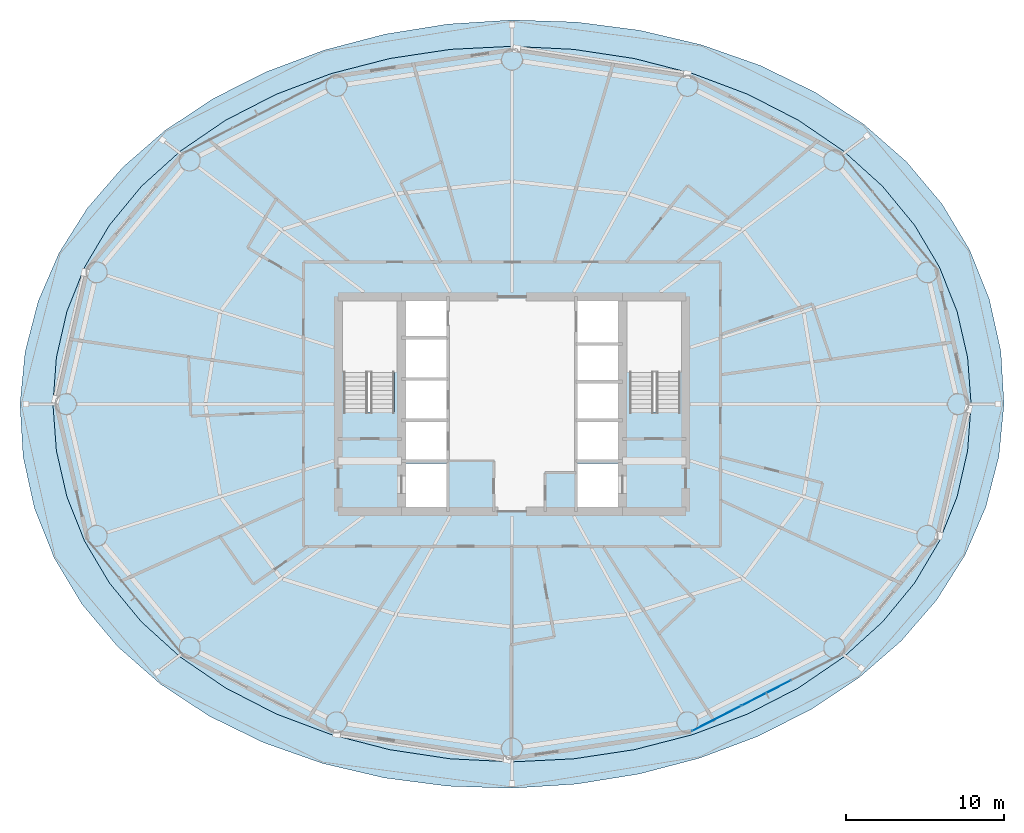
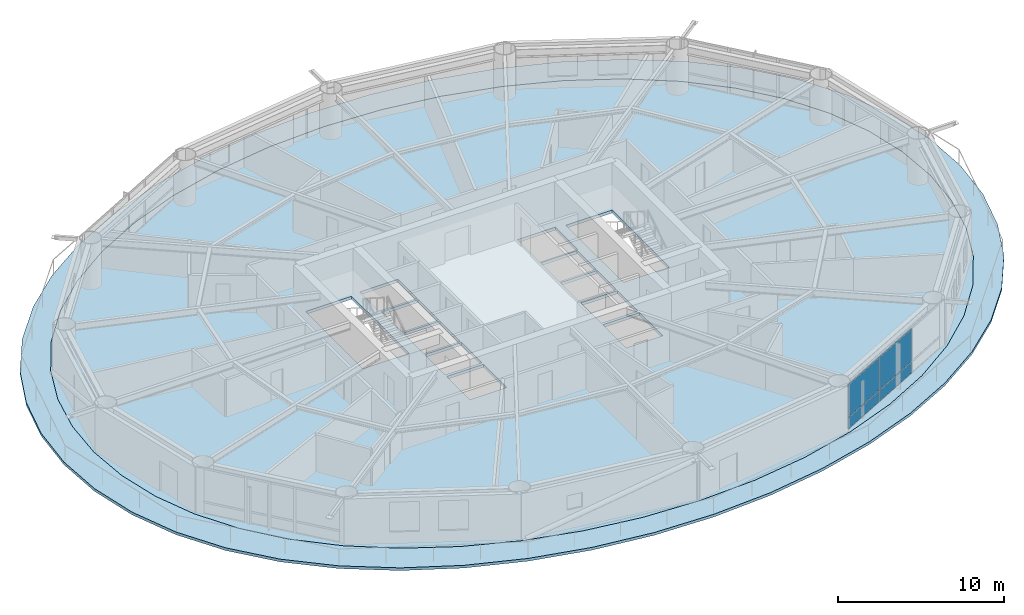
# One storey, part 15 of 24: 4 plates, 2 slabs, 1 element without a shape of its own.
"""IFC4 building model written with IfcOpenShell, lengths in metres."""

import ifcopenshell
import ifcopenshell.guid

model = None  # the IFC model being written
_history = None  # IfcOwnerHistory: only IFC2X3 demands one
_inside = {}  # id of a spatial element -> (the spatial element, [elements in it])
_under = {}  # id of a project, library or spatial element -> (it, [spatial elements below it])
_declared = {}  # id of a project -> (the project, [libraries it declares])
_typed = {}  # id of a type object -> (the type object, [elements of that type])
_made_of = {}  # id of a material, layer set ... -> (it, [elements and type objects made of it])


def new_model(schema):
    """Start an empty IFC model of exactly this schema.

    Asked for "IFC4X3", IfcOpenShell would pick the latest addendum, in which some entities
    have other attributes; the version numbers below select the first issue.
    IFC2X3 requires an IfcOwnerHistory on every rooted entity: one is made here for all.
    """
    global model, _history
    if schema == "IFC4X3":
        model = ifcopenshell.file(schema_version=(4, 3, 0, 0))
    else:
        model = ifcopenshell.file(schema=schema)
    _inside.clear()
    _under.clear()
    _declared.clear()
    _typed.clear()
    _made_of.clear()
    _history = None
    if model.schema == "IFC2X3":
        org = make("IfcOrganization", Name="unknown")
        user = make(
            "IfcPersonAndOrganization",
            ThePerson=make("IfcPerson", FamilyName="unknown"),
            TheOrganization=org,
        )
        app = make(
            "IfcApplication",
            ApplicationDeveloper=org,
            Version="unknown",
            ApplicationFullName="unknown",
            ApplicationIdentifier="unknown",
        )
        _history = make(
            "IfcOwnerHistory",
            OwningUser=user,
            OwningApplication=app,
            ChangeAction="ADDED",
            CreationDate=0,
        )
    return model


def make(cls, **values):
    """One entity of the class cls with the attributes given. An attribute that is None is left unset."""
    return model.create_entity(
        cls, **{name: value for name, value in values.items() if value is not None}
    )


def rooted(cls, **values):
    """An entity with a GlobalId (a new one), such as an element, a storey or a relation."""
    return make(cls, GlobalId=ifcopenshell.guid.new(), OwnerHistory=_history, **values)


def si_unit(unit_type, name, prefix=None):
    """IfcSIUnit, for example si_unit("LENGTHUNIT", "METRE", prefix="MILLI")."""
    return make("IfcSIUnit", UnitType=unit_type, Prefix=prefix, Name=name)


def assignment(units):
    """IfcUnitAssignment: the units of a project."""
    return None if units is None else make("IfcUnitAssignment", Units=units)


def point(xyz):
    """IfcCartesianPoint."""
    return None if xyz is None else make("IfcCartesianPoint", Coordinates=xyz)


def direction(xyz):
    """IfcDirection."""
    return None if xyz is None else make("IfcDirection", DirectionRatios=xyz)


def frame(location, z_axis=None, x_axis=None):
    """IfcAxis2Placement3D, a coordinate frame: its origin and axes. An axis left out is left unset."""
    return make(
        "IfcAxis2Placement3D",
        Location=point(location),
        Axis=direction(z_axis),
        RefDirection=direction(x_axis),
    )


def frame_2d(location, x_axis=None):
    """IfcAxis2Placement2D, a coordinate frame in the plane: its origin and x axis."""
    return make(
        "IfcAxis2Placement2D", Location=point(location), RefDirection=direction(x_axis)
    )


def origin():
    """The frame at (0, 0, 0) with its axes left unset."""
    return frame((0.0, 0.0, 0.0))


def origin_2d():
    """The frame at (0, 0) in the plane with its x axis left unset."""
    return frame_2d((0.0, 0.0))


def place(relative_to, where):
    """IfcLocalPlacement: puts the frame where relative to a parent placement (None: the world)."""
    return make(
        "IfcLocalPlacement", PlacementRelTo=relative_to, RelativePlacement=where
    )


def context(
    kind, dimensions, precision=None, world=None, true_north=None, identifier=None
):
    """IfcGeometricRepresentationContext, for example the 3D "Model" context."""
    return make(
        "IfcGeometricRepresentationContext",
        ContextIdentifier=identifier,
        ContextType=kind,
        CoordinateSpaceDimension=dimensions,
        Precision=precision,
        WorldCoordinateSystem=world,
        TrueNorth=true_north,
    )


def subcontext(parent, identifier, kind, view, scale=None):
    """IfcGeometricRepresentationSubContext, for example "Body" below "Model"."""
    return make(
        "IfcGeometricRepresentationSubContext",
        ContextIdentifier=identifier,
        ContextType=kind,
        ParentContext=parent,
        TargetScale=scale,
        TargetView=view,
    )


def project(units=None, contexts=None):
    """IfcProject with its units and contexts."""
    return rooted(
        "IfcProject",
        Name="project",
        RepresentationContexts=contexts,
        UnitsInContext=assignment(units),
    )


def spatial(cls, under=None, at=None, **own):
    """A site, building, storey or space (cls), placed at a placement, below another one or the project."""
    s = rooted(cls, ObjectPlacement=at, **own)
    if under is not None:
        _under.setdefault(under.id(), (under, []))[1].append(s)
    return s


def polyline(points):
    """IfcPolyline through the points."""
    return make("IfcPolyline", Points=[point(p) for p in points])


def profile(cls, at=None, kind="AREA", **sizes):
    """A parametric profile (cls). Its sizes go by their IFC names, for example OverallWidth=200.0."""
    return make(cls, ProfileType=kind, Position=at, **sizes)


def rectangle(**sizes):
    """IfcRectangleProfileDef."""
    return profile("IfcRectangleProfileDef", **sizes)


def outline(outer, holes=None, kind="AREA"):
    """IfcArbitraryClosedProfileDef: a profile drawn as a closed curve; with holes, ...WithVoids."""
    if holes is None:
        return make("IfcArbitraryClosedProfileDef", ProfileType=kind, OuterCurve=outer)
    return make(
        "IfcArbitraryProfileDefWithVoids",
        ProfileType=kind,
        OuterCurve=outer,
        InnerCurves=holes,
    )


def extrude(swept, where, along, depth):
    """IfcExtrudedAreaSolid: the profile swept, set in the frame where, extruded along a direction by depth."""
    return make(
        "IfcExtrudedAreaSolid",
        SweptArea=swept,
        Position=where,
        ExtrudedDirection=direction(along),
        Depth=depth,
    )


def shape(context_of_items, identifier, shape_type, items):
    """IfcShapeRepresentation: the items that make up one representation, for example the "Body"."""
    return make(
        "IfcShapeRepresentation",
        ContextOfItems=context_of_items,
        RepresentationIdentifier=identifier,
        RepresentationType=shape_type,
        Items=items,
    )


def material(Name=None, Category=None):
    """IfcMaterial."""
    return make("IfcMaterial", Name=Name, Category=Category)


def layer(
    of_material, thickness, ventilated=None, Name=None, Category=None, Priority=None
):
    """IfcMaterialLayer: one layer of a wall or slab, of a material (None: an air gap)."""
    return make(
        "IfcMaterialLayer",
        Material=of_material,
        LayerThickness=thickness,
        IsVentilated=ventilated,
        Name=Name,
        Category=Category,
        Priority=Priority,
    )


def layer_set(layers, Name=None):
    """IfcMaterialLayerSet."""
    return make("IfcMaterialLayerSet", MaterialLayers=layers, LayerSetName=Name)


def made_of(thing, what):
    """Note that an element or type object is made of a material, layer set ...; save() writes the relation."""
    if what is not None:
        _made_of.setdefault(what.id(), (what, []))[1].append(thing)
    return thing


def type_object(cls, material=None, **own):
    """A type object (cls), such as IfcWallType, which elements share."""
    return made_of(rooted(cls, **own), material)


def element(
    cls,
    number,
    at=None,
    inside=None,
    cuts=None,
    type_object=None,
    material=None,
    context=None,
    identifier="Body",
    shape_type=None,
    held_by="IfcProductDefinitionShape",
    body=None,
    shapes=None,
    **own,
):
    """One element of the class cls, such as IfcWall. Its Tag is "e" and its number.

    at: its placement. inside: the storey or other place that contains it. cuts: it is an
    opening in that element (IfcRelVoidsElement). A single representation is given by context,
    identifier, shape_type and body (its items); several are given by shapes. held_by: the class
    of the entity that holds the representations. save() writes the other relations.
    """
    e = rooted(cls, Tag="e%d" % number, ObjectPlacement=at, **own)
    if body is not None:
        shapes = [shape(context, identifier, shape_type, body)]
    if shapes is not None:
        e.Representation = make(held_by, Representations=shapes)
    if inside is not None:
        _inside.setdefault(inside.id(), (inside, []))[1].append(e)
    if cuts is not None:
        rooted(
            "IfcRelVoidsElement", RelatingBuildingElement=cuts, RelatedOpeningElement=e
        )
    if type_object is not None:
        _typed.setdefault(type_object.id(), (type_object, []))[1].append(e)
    return made_of(e, material)


def aggregate(whole, parts):
    """IfcRelAggregates: a whole, such as a stair, and the parts it consists of."""
    return rooted("IfcRelAggregates", RelatingObject=whole, RelatedObjects=parts)


def save(model, path):
    """Write the relations noted so far, then the file.

    IfcRelAggregates (storeys below a building ...), IfcRelContainedInSpatialStructure (elements
    in a storey), IfcRelDefinesByType, IfcRelAssociatesMaterial and IfcRelDeclares: one each for
    every whole, place, type object, material and project.
    """
    for whole, parts in _under.values():
        aggregate(whole, parts)
    for where, things in _inside.values():
        rooted(
            "IfcRelContainedInSpatialStructure",
            RelatedElements=things,
            RelatingStructure=where,
        )
    for kind, things in _typed.values():
        rooted("IfcRelDefinesByType", RelatedObjects=things, RelatingType=kind)
    for what, things in _made_of.values():
        rooted("IfcRelAssociatesMaterial", RelatedObjects=things, RelatingMaterial=what)
    for by, libraries in _declared.values():
        rooted("IfcRelDeclares", RelatingContext=by, RelatedDefinitions=libraries)
    model.write(path)


model = new_model("IFC4")

# Units and contexts
model_context = context("Model", 3, precision=1e-05, world=origin(), true_north=direction((0.0, 1.0)))
body_context = subcontext(model_context, "Body", "Model", "MODEL_VIEW")
ifc_project = project(units=[si_unit("LENGTHUNIT", "METRE"), si_unit("AREAUNIT", "SQUARE_METRE"), si_unit("VOLUMEUNIT", "CUBIC_METRE"), si_unit("PLANEANGLEUNIT", "RADIAN"), si_unit("MASSUNIT", "GRAM", prefix="KILO")], contexts=[model_context])

# Site, building, storey
site_placement = place(None, origin())
site = spatial("IfcSite", under=ifc_project, at=site_placement, CompositionType="ELEMENT")
building_placement = place(site_placement, origin())
building = spatial("IfcBuilding", under=site, at=building_placement, Name="Sarneth Arch Tower", CompositionType="ELEMENT")
storey_placement = place(building_placement, frame((0.0, 0.0, 120.0)))
storey = spatial("IfcBuildingStorey", under=building, at=storey_placement, Name="L30", CompositionType="ELEMENT", Elevation=120.0)

# Curtain wall, plates
ifc_material_1 = material(Name="Anodised aluminium Type AA25 and solar-control low-e laminated IGU", Category="aluminium")
ifc_layer_1 = layer(ifc_material_1, 0.159912109375)
ifc_layer_set_1 = layer_set([ifc_layer_1], Name="Anodised aluminium Type AA25 and solar-control low-e laminated IGU")
curtain_wall_type = type_object("IfcCurtainWallType", Name="CW-HOTEL-MID", PredefinedType="NOTDEFINED", material=ifc_layer_set_1)
curtain_wall_placement = place(storey_placement, origin())
curtain_wall = element("IfcCurtainWall", 1, at=curtain_wall_placement, inside=storey, type_object=curtain_wall_type, Name="L30 Unitised curtain wall facet 14", PredefinedType="NOTDEFINED")
ifc_material_2 = material(Name="Solar-control low-e laminated IGU", Category="glass")
ifc_layer_2 = layer(ifc_material_2, 0.028076171875)
ifc_layer_set_2 = layer_set([ifc_layer_2], Name="Solar-control low-e laminated IGU")
plate_type = type_object("IfcPlateType", Name="CW-PANEL", PredefinedType="CURTAIN_PANEL", material=ifc_layer_set_2)
plate_1_placement = place(storey_placement, frame((60.946044921875, 22.094482421875, 0.06005859375), z_axis=(0.0, 0.0, 1.0), x_axis=(0.889963703649, 0.456031365356, 0.0)))
plate_1 = element("IfcPlate", 2, at=plate_1_placement, type_object=plate_type, Name="Curtain wall glazed vision pane CW-L30-F14/P00-00", PredefinedType="CURTAIN_PANEL", context=body_context, shape_type="SweptSolid", body=[
    extrude(rectangle(XDim=3.464111328125, YDim=0.028076171875, at=origin_2d()), origin(), (0.0, 0.0, 1.0), 0.81005859375),
])
plate_2_placement = place(storey_placement, frame((60.946044921875, 22.094482421875, 0.93017578125), z_axis=(0.0, 0.0, 1.0), x_axis=(0.889963703649, 0.456031365356, 0.0)))
plate_2 = element("IfcPlate", 3, at=plate_2_placement, type_object=plate_type, Name="Curtain wall glazed vision pane CW-L30-F14/P00-01", PredefinedType="CURTAIN_PANEL", context=body_context, shape_type="SweptSolid", body=[
    extrude(rectangle(XDim=3.464111328125, YDim=0.028076171875, at=origin_2d()), origin(), (0.0, 0.0, 1.0), 2.389892578125),
])
plate_3_placement = place(storey_placement, frame((64.095703125, 23.70849609375, 0.06005859375), z_axis=(0.0, 0.0, 1.0), x_axis=(0.889963703649, 0.456031365356, 0.0)))
plate_3 = element("IfcPlate", 4, at=plate_3_placement, type_object=plate_type, Name="Curtain wall glazed vision pane CW-L30-F14/P01-00", PredefinedType="CURTAIN_PANEL", context=body_context, shape_type="SweptSolid", body=[
    extrude(rectangle(XDim=3.493896484375, YDim=0.028076171875, at=origin_2d()), origin(), (0.0, 0.0, 1.0), 0.81005859375),
])
plate_4_placement = place(storey_placement, frame((64.095703125, 23.70849609375, 0.93017578125), z_axis=(0.0, 0.0, 1.0), x_axis=(0.889963703649, 0.456031365356, 0.0)))
plate_4 = element("IfcPlate", 5, at=plate_4_placement, type_object=plate_type, Name="Curtain wall glazed vision pane CW-L30-F14/P01-01", PredefinedType="CURTAIN_PANEL", context=body_context, shape_type="SweptSolid", body=[
    extrude(rectangle(XDim=3.493896484375, YDim=0.028076171875, at=origin_2d()), origin(), (0.0, 0.0, 1.0), 2.389892578125),
])
aggregate(curtain_wall, [plate_1, plate_2, plate_3, plate_4])

# Slabs
ifc_material_3 = material(Name="Concrete C50/60", Category="concrete")
ifc_layer_3 = layer(ifc_material_3, 0.199951171875)
ifc_layer_set_3 = layer_set([ifc_layer_3], Name="Concrete C50/60")
slab_type_1 = type_object("IfcSlabType", Name="SLAB-BALC-200", PredefinedType="FLOOR", material=ifc_layer_set_3)
slab_1_placement = place(storey_placement, frame((0.0, 0.0, -0.199951171875)))
element("IfcSlab", 6, at=slab_1_placement, inside=storey, type_object=slab_type_1, Name="L30 Helical balcony band slab", PredefinedType="FLOOR", context=body_context, shape_type="SweptSolid", body=[
    extrude(outline(polyline([(79.146728515625, 42.0), (78.949951171875, 45.3330078125), (78.22705078125, 48.60546875), (76.98046875, 51.739501953125), (75.221923828125, 54.6689453125), (72.9736328125, 57.3408203125), (70.271240234375, 59.71337890625), (67.1650390625, 61.75341796875), (63.718505859375, 63.435791015625), (60.0048828125, 64.741943359375), (56.099365234375, 65.660400390625), (52.0751953125, 66.185302734375), (48.0, 66.316162109375), (43.937744140625, 66.05712890625), (39.9501953125, 65.41650390625), (36.1005859375, 64.406005859375), (32.4541015625, 63.04052734375), (29.076171875, 61.337158203125), (26.028076171875, 59.3154296875), (23.3623046875, 56.996826171875), (21.119140625, 54.405029296875), (19.3271484375, 51.56787109375), (18.007080078125, 48.5205078125), (17.1767578125, 45.310302734375), (16.853271484375, 42.0), (17.050048828125, 38.6669921875), (17.77294921875, 35.39453125), (19.01953125, 32.260498046875), (20.778076171875, 29.3310546875), (23.0263671875, 26.6591796875), (25.728759765625, 24.28662109375), (28.8349609375, 22.24658203125), (32.281494140625, 20.564208984375), (35.9951171875, 19.258056640625), (39.900634765625, 18.339599609375), (43.9248046875, 17.814697265625), (48.0, 17.683837890625), (52.062255859375, 17.94287109375), (56.0498046875, 18.58349609375), (59.8994140625, 19.593994140625), (63.5458984375, 20.95947265625), (66.923828125, 22.662841796875), (69.971923828125, 24.6845703125), (72.6376953125, 27.003173828125), (74.880859375, 29.594970703125), (76.6728515625, 32.43212890625), (77.992919921875, 35.4794921875), (78.8232421875, 38.689697265625), (79.146728515625, 42.0)]), holes=[polyline([(77.062744140625, 42.0), (76.84228515625, 44.956298828125), (76.17724609375, 47.8623046875), (75.060546875, 50.667724609375), (73.486328125, 53.324951171875), (71.458251953125, 55.788330078125), (68.994384765625, 58.015869140625), (66.132080078125, 59.969482421875), (62.923828125, 61.615478515625), (59.435302734375, 62.92578125), (55.73779296875, 63.878173828125), (51.902587890625, 64.456298828125), (48.0, 64.64990234375), (44.097412109375, 64.456298828125), (40.26220703125, 63.878173828125), (36.564697265625, 62.92578125), (33.076171875, 61.615478515625), (29.867919921875, 59.969482421875), (27.005615234375, 58.015869140625), (24.541748046875, 55.788330078125), (22.513671875, 53.324951171875), (20.939453125, 50.667724609375), (19.82275390625, 47.8623046875), (19.15771484375, 44.956298828125), (18.937255859375, 42.0), (19.15771484375, 39.043701171875), (19.82275390625, 36.1376953125), (20.939453125, 33.332275390625), (22.513671875, 30.675048828125), (24.541748046875, 28.211669921875), (27.005615234375, 25.984130859375), (29.867919921875, 24.030517578125), (33.076171875, 22.384521484375), (36.564697265625, 21.07421875), (40.26220703125, 20.121826171875), (44.097412109375, 19.543701171875), (48.0, 19.35009765625), (51.902587890625, 19.543701171875), (55.73779296875, 20.121826171875), (59.435302734375, 21.07421875), (62.923828125, 22.384521484375), (66.132080078125, 24.030517578125), (68.994384765625, 25.984130859375), (71.458251953125, 28.211669921875), (73.486328125, 30.675048828125), (75.060546875, 33.332275390625), (76.17724609375, 36.1376953125), (76.84228515625, 39.043701171875), (77.062744140625, 42.0)])]), origin(), (0.0, 0.0, 1.0), 0.199951171875),
])
ifc_material_4 = material(Name="Concrete C50/60", Category="concrete")
ifc_layer_4 = layer(ifc_material_4, 0.219970703125)
ifc_layer_set_4 = layer_set([ifc_layer_4], Name="Concrete C50/60")
slab_type_2 = type_object("IfcSlabType", Name="SLAB-TOWER-220", PredefinedType="FLOOR", material=ifc_layer_set_4)
slab_2_placement = place(storey_placement, frame((0.0, 0.0, -0.219970703125)))
element("IfcSlab", 7, at=slab_2_placement, inside=storey, type_object=slab_type_2, Name="L30 Elliptical floor slab", PredefinedType="FLOOR", context=body_context, shape_type="SweptSolid", body=[
    extrude(outline(polyline([(77.062744140625, 42.0), (76.84228515625, 44.956298828125), (76.17724609375, 47.8623046875), (75.060546875, 50.667724609375), (73.486328125, 53.324951171875), (71.458251953125, 55.788330078125), (68.994384765625, 58.015869140625), (66.132080078125, 59.969482421875), (62.923828125, 61.615478515625), (59.435302734375, 62.92578125), (55.73779296875, 63.878173828125), (51.902587890625, 64.456298828125), (48.0, 64.64990234375), (44.097412109375, 64.456298828125), (40.26220703125, 63.878173828125), (36.564697265625, 62.92578125), (33.076171875, 61.615478515625), (29.867919921875, 59.969482421875), (27.005615234375, 58.015869140625), (24.541748046875, 55.788330078125), (22.513671875, 53.324951171875), (20.939453125, 50.667724609375), (19.82275390625, 47.8623046875), (19.15771484375, 44.956298828125), (18.937255859375, 42.0), (19.15771484375, 39.043701171875), (19.82275390625, 36.1376953125), (20.939453125, 33.332275390625), (22.513671875, 30.675048828125), (24.541748046875, 28.211669921875), (27.005615234375, 25.984130859375), (29.867919921875, 24.030517578125), (33.076171875, 22.384521484375), (36.564697265625, 21.07421875), (40.26220703125, 20.121826171875), (44.097412109375, 19.543701171875), (48.0, 19.35009765625), (51.902587890625, 19.543701171875), (55.73779296875, 20.121826171875), (59.435302734375, 21.07421875), (62.923828125, 22.384521484375), (66.132080078125, 24.030517578125), (68.994384765625, 25.984130859375), (71.458251953125, 28.211669921875), (73.486328125, 30.675048828125), (75.060546875, 33.332275390625), (76.17724609375, 36.1376953125), (76.84228515625, 39.043701171875), (77.062744140625, 42.0)]), holes=[polyline([(37.35009765625, 41.489990234375), (40.550048828125, 41.489990234375), (40.550048828125, 48.39990234375), (37.35009765625, 48.39990234375), (37.35009765625, 41.489990234375)]), polyline([(55.449951171875, 41.489990234375), (58.64990234375, 41.489990234375), (58.64990234375, 48.39990234375), (55.449951171875, 48.39990234375), (55.449951171875, 41.489990234375)]), polyline([(41.199951171875, 46.25), (43.85009765625, 46.25), (43.85009765625, 48.550048828125), (41.199951171875, 48.550048828125), (41.199951171875, 46.25)]), polyline([(41.300048828125, 35.449951171875), (43.85009765625, 35.449951171875), (43.85009765625, 38.25), (41.300048828125, 38.25), (41.300048828125, 35.449951171875)]), polyline([(52.14990234375, 35.449951171875), (54.699951171875, 35.449951171875), (54.699951171875, 38.25), (52.14990234375, 38.25), (52.14990234375, 35.449951171875)]), polyline([(52.14990234375, 45.85009765625), (54.800048828125, 45.85009765625), (54.800048828125, 48.550048828125), (52.14990234375, 48.550048828125), (52.14990234375, 45.85009765625)]), polyline([(41.300048828125, 38.449951171875), (43.85009765625, 38.449951171875), (43.85009765625, 40.89990234375), (41.300048828125, 40.89990234375), (41.300048828125, 38.449951171875)]), polyline([(41.300048828125, 41.050048828125), (43.85009765625, 41.050048828125), (43.85009765625, 43.5), (41.300048828125, 43.5), (41.300048828125, 41.050048828125)]), polyline([(41.300048828125, 43.64990234375), (43.85009765625, 43.64990234375), (43.85009765625, 46.10009765625), (41.300048828125, 46.10009765625), (41.300048828125, 43.64990234375)]), polyline([(52.14990234375, 38.449951171875), (54.699951171875, 38.449951171875), (54.699951171875, 40.89990234375), (52.14990234375, 40.89990234375), (52.14990234375, 38.449951171875)]), polyline([(52.14990234375, 41.050048828125), (54.699951171875, 41.050048828125), (54.699951171875, 43.35009765625), (52.14990234375, 43.35009765625), (52.14990234375, 41.050048828125)]), polyline([(52.14990234375, 43.5), (54.699951171875, 43.5), (54.699951171875, 45.75), (52.14990234375, 45.75), (52.14990234375, 43.5)])]), origin(), (0.0, 0.0, 1.0), 0.219970703125),
])

save(model, "model.ifc")
